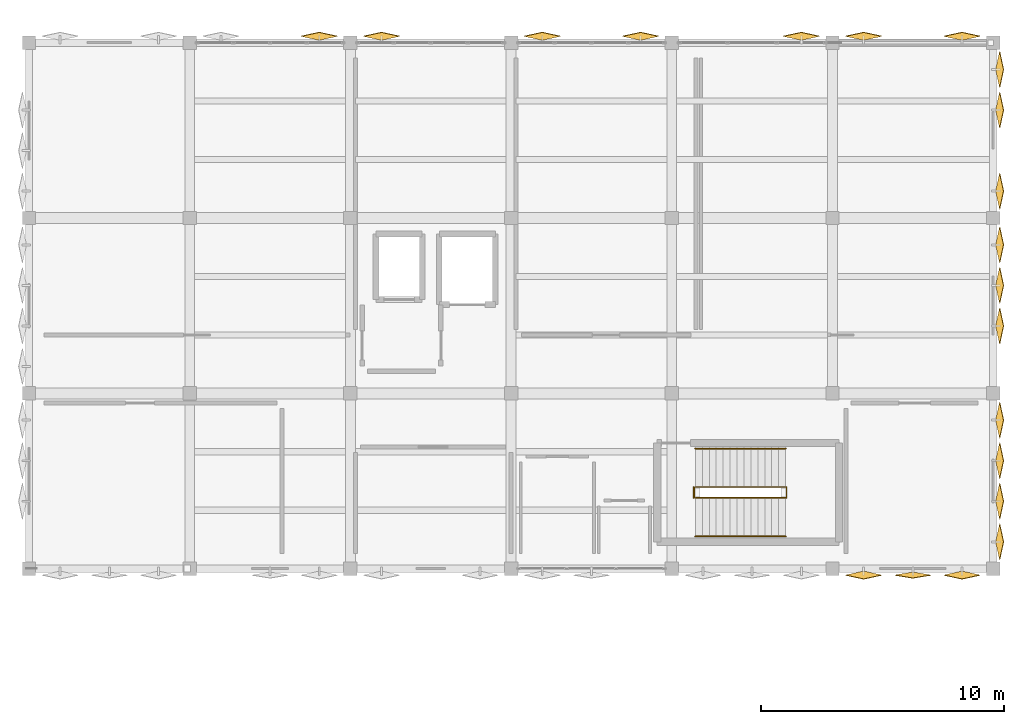
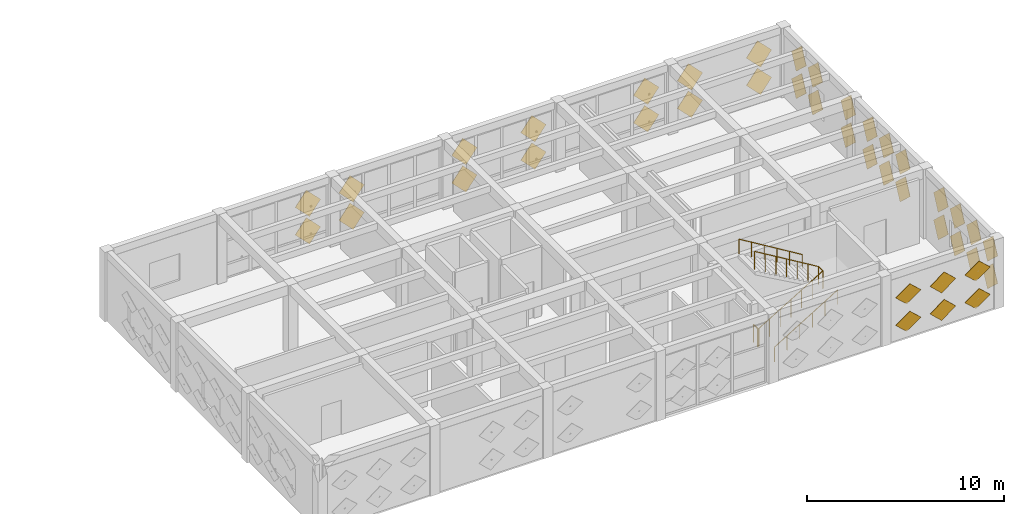
# One storey, part 36 of 36: 40 coverings, 4 railings.
"""IFC4 building model written with IfcOpenShell, lengths in metres."""

import ifcopenshell
import ifcopenshell.guid

model = None  # the IFC model being written
_history = None  # IfcOwnerHistory: only IFC2X3 demands one
_inside = {}  # id of a spatial element -> (the spatial element, [elements in it])
_under = {}  # id of a project, library or spatial element -> (it, [spatial elements below it])
_declared = {}  # id of a project -> (the project, [libraries it declares])
_typed = {}  # id of a type object -> (the type object, [elements of that type])
_made_of = {}  # id of a material, layer set ... -> (it, [elements and type objects made of it])


def new_model(schema):
    """Start an empty IFC model of exactly this schema.

    Asked for "IFC4X3", IfcOpenShell would pick the latest addendum, in which some entities
    have other attributes; the version numbers below select the first issue.
    IFC2X3 requires an IfcOwnerHistory on every rooted entity: one is made here for all.
    """
    global model, _history
    if schema == "IFC4X3":
        model = ifcopenshell.file(schema_version=(4, 3, 0, 0))
    else:
        model = ifcopenshell.file(schema=schema)
    _inside.clear()
    _under.clear()
    _declared.clear()
    _typed.clear()
    _made_of.clear()
    _history = None
    if model.schema == "IFC2X3":
        org = make("IfcOrganization", Name="unknown")
        user = make(
            "IfcPersonAndOrganization",
            ThePerson=make("IfcPerson", FamilyName="unknown"),
            TheOrganization=org,
        )
        app = make(
            "IfcApplication",
            ApplicationDeveloper=org,
            Version="unknown",
            ApplicationFullName="unknown",
            ApplicationIdentifier="unknown",
        )
        _history = make(
            "IfcOwnerHistory",
            OwningUser=user,
            OwningApplication=app,
            ChangeAction="ADDED",
            CreationDate=0,
        )
    return model


def make(cls, **values):
    """One entity of the class cls with the attributes given. An attribute that is None is left unset."""
    return model.create_entity(
        cls, **{name: value for name, value in values.items() if value is not None}
    )


def rooted(cls, **values):
    """An entity with a GlobalId (a new one), such as an element, a storey or a relation."""
    return make(cls, GlobalId=ifcopenshell.guid.new(), OwnerHistory=_history, **values)


def si_unit(unit_type, name, prefix=None):
    """IfcSIUnit, for example si_unit("LENGTHUNIT", "METRE", prefix="MILLI")."""
    return make("IfcSIUnit", UnitType=unit_type, Prefix=prefix, Name=name)


def assignment(units):
    """IfcUnitAssignment: the units of a project."""
    return None if units is None else make("IfcUnitAssignment", Units=units)


def point(xyz):
    """IfcCartesianPoint."""
    return None if xyz is None else make("IfcCartesianPoint", Coordinates=xyz)


def direction(xyz):
    """IfcDirection."""
    return None if xyz is None else make("IfcDirection", DirectionRatios=xyz)


def frame(location, z_axis=None, x_axis=None):
    """IfcAxis2Placement3D, a coordinate frame: its origin and axes. An axis left out is left unset."""
    return make(
        "IfcAxis2Placement3D",
        Location=point(location),
        Axis=direction(z_axis),
        RefDirection=direction(x_axis),
    )


def frame_2d(location, x_axis=None):
    """IfcAxis2Placement2D, a coordinate frame in the plane: its origin and x axis."""
    return make(
        "IfcAxis2Placement2D", Location=point(location), RefDirection=direction(x_axis)
    )


def origin():
    """The frame at (0, 0, 0) with its axes left unset."""
    return frame((0.0, 0.0, 0.0))


def origin_2d():
    """The frame at (0, 0) in the plane with its x axis left unset."""
    return frame_2d((0.0, 0.0))


def place(relative_to, where):
    """IfcLocalPlacement: puts the frame where relative to a parent placement (None: the world)."""
    return make(
        "IfcLocalPlacement", PlacementRelTo=relative_to, RelativePlacement=where
    )


def context(
    kind, dimensions, precision=None, world=None, true_north=None, identifier=None
):
    """IfcGeometricRepresentationContext, for example the 3D "Model" context."""
    return make(
        "IfcGeometricRepresentationContext",
        ContextIdentifier=identifier,
        ContextType=kind,
        CoordinateSpaceDimension=dimensions,
        Precision=precision,
        WorldCoordinateSystem=world,
        TrueNorth=true_north,
    )


def subcontext(parent, identifier, kind, view, scale=None):
    """IfcGeometricRepresentationSubContext, for example "Body" below "Model"."""
    return make(
        "IfcGeometricRepresentationSubContext",
        ContextIdentifier=identifier,
        ContextType=kind,
        ParentContext=parent,
        TargetScale=scale,
        TargetView=view,
    )


def project(units=None, contexts=None):
    """IfcProject with its units and contexts."""
    return rooted(
        "IfcProject",
        Name="project",
        RepresentationContexts=contexts,
        UnitsInContext=assignment(units),
    )


def spatial(cls, under=None, at=None, **own):
    """A site, building, storey or space (cls), placed at a placement, below another one or the project."""
    s = rooted(cls, ObjectPlacement=at, **own)
    if under is not None:
        _under.setdefault(under.id(), (under, []))[1].append(s)
    return s


def polyline(points):
    """IfcPolyline through the points."""
    return make("IfcPolyline", Points=[point(p) for p in points])


def profile(cls, at=None, kind="AREA", **sizes):
    """A parametric profile (cls). Its sizes go by their IFC names, for example OverallWidth=200.0."""
    return make(cls, ProfileType=kind, Position=at, **sizes)


def circle(**sizes):
    """IfcCircleProfileDef."""
    return profile("IfcCircleProfileDef", **sizes)


def outline(outer, holes=None, kind="AREA"):
    """IfcArbitraryClosedProfileDef: a profile drawn as a closed curve; with holes, ...WithVoids."""
    if holes is None:
        return make("IfcArbitraryClosedProfileDef", ProfileType=kind, OuterCurve=outer)
    return make(
        "IfcArbitraryProfileDefWithVoids",
        ProfileType=kind,
        OuterCurve=outer,
        InnerCurves=holes,
    )


def extrude(swept, where, along, depth):
    """IfcExtrudedAreaSolid: the profile swept, set in the frame where, extruded along a direction by depth."""
    return make(
        "IfcExtrudedAreaSolid",
        SweptArea=swept,
        Position=where,
        ExtrudedDirection=direction(along),
        Depth=depth,
    )


def shape(context_of_items, identifier, shape_type, items):
    """IfcShapeRepresentation: the items that make up one representation, for example the "Body"."""
    return make(
        "IfcShapeRepresentation",
        ContextOfItems=context_of_items,
        RepresentationIdentifier=identifier,
        RepresentationType=shape_type,
        Items=items,
    )


def material(Name=None, Category=None):
    """IfcMaterial."""
    return make("IfcMaterial", Name=Name, Category=Category)


def made_of(thing, what):
    """Note that an element or type object is made of a material, layer set ...; save() writes the relation."""
    if what is not None:
        _made_of.setdefault(what.id(), (what, []))[1].append(thing)
    return thing


def type_object(cls, material=None, **own):
    """A type object (cls), such as IfcWallType, which elements share."""
    return made_of(rooted(cls, **own), material)


def element(
    cls,
    number,
    at=None,
    inside=None,
    cuts=None,
    type_object=None,
    material=None,
    context=None,
    identifier="Body",
    shape_type=None,
    held_by="IfcProductDefinitionShape",
    body=None,
    shapes=None,
    **own,
):
    """One element of the class cls, such as IfcWall. Its Tag is "e" and its number.

    at: its placement. inside: the storey or other place that contains it. cuts: it is an
    opening in that element (IfcRelVoidsElement). A single representation is given by context,
    identifier, shape_type and body (its items); several are given by shapes. held_by: the class
    of the entity that holds the representations. save() writes the other relations.
    """
    e = rooted(cls, Tag="e%d" % number, ObjectPlacement=at, **own)
    if body is not None:
        shapes = [shape(context, identifier, shape_type, body)]
    if shapes is not None:
        e.Representation = make(held_by, Representations=shapes)
    if inside is not None:
        _inside.setdefault(inside.id(), (inside, []))[1].append(e)
    if cuts is not None:
        rooted(
            "IfcRelVoidsElement", RelatingBuildingElement=cuts, RelatedOpeningElement=e
        )
    if type_object is not None:
        _typed.setdefault(type_object.id(), (type_object, []))[1].append(e)
    return made_of(e, material)


def aggregate(whole, parts):
    """IfcRelAggregates: a whole, such as a stair, and the parts it consists of."""
    return rooted("IfcRelAggregates", RelatingObject=whole, RelatedObjects=parts)


def save(model, path):
    """Write the relations noted so far, then the file.

    IfcRelAggregates (storeys below a building ...), IfcRelContainedInSpatialStructure (elements
    in a storey), IfcRelDefinesByType, IfcRelAssociatesMaterial and IfcRelDeclares: one each for
    every whole, place, type object, material and project.
    """
    for whole, parts in _under.values():
        aggregate(whole, parts)
    for where, things in _inside.values():
        rooted(
            "IfcRelContainedInSpatialStructure",
            RelatedElements=things,
            RelatingStructure=where,
        )
    for kind, things in _typed.values():
        rooted("IfcRelDefinesByType", RelatedObjects=things, RelatingType=kind)
    for what, things in _made_of.values():
        rooted("IfcRelAssociatesMaterial", RelatedObjects=things, RelatingMaterial=what)
    for by, libraries in _declared.values():
        rooted("IfcRelDeclares", RelatingContext=by, RelatedDefinitions=libraries)
    model.write(path)


model = new_model("IFC4")

# Units and contexts
model_context = context("Model", 3, precision=1e-05, world=origin(), true_north=direction((0.0, 1.0)))
body_context = subcontext(model_context, "Body", "Model", "MODEL_VIEW")
ifc_project = project(units=[si_unit("LENGTHUNIT", "METRE"), si_unit("AREAUNIT", "SQUARE_METRE"), si_unit("VOLUMEUNIT", "CUBIC_METRE"), si_unit("PLANEANGLEUNIT", "RADIAN"), si_unit("MASSUNIT", "GRAM", prefix="KILO")], contexts=[model_context])

# Site, building, storey
site_placement = place(None, origin())
site = spatial("IfcSite", under=ifc_project, at=site_placement, CompositionType="ELEMENT")
building_placement = place(site_placement, origin())
building = spatial("IfcBuilding", under=site, at=building_placement, Name="Kharisveld Research Institute", CompositionType="ELEMENT")
storey_placement = place(building_placement, frame((0.0, 0.0, 27.60009765625)))
storey = spatial("IfcBuildingStorey", under=building, at=storey_placement, Name="L06", CompositionType="ELEMENT", Elevation=27.60009765625)

# Railings
ifc_material_1 = material(Name="Steel S355JR", Category="steel")
railing_type_1 = type_object("IfcRailingType", Name="RL_GRD_STR", PredefinedType="GUARDRAIL", material=ifc_material_1)
railing_1_placement = place(storey_placement, frame((148.570068359375, 42.110107421875, 0.0)))
element("IfcRailing", 1, at=railing_1_placement, inside=storey, type_object=railing_type_1, Name="RLG:ST3:L06:GRD_SLOT", PredefinedType="GUARDRAIL", context=body_context, shape_type="SweptSolid", body=[
    extrude(circle(Radius=0.02392578125, at=origin_2d()), frame((0.0, 0.0, 1.09619140625), z_axis=(0.857182128291, 0.0, 0.515013396853), x_axis=(0.0, 1.0, 0.0)), (0.0, 0.0, 1.0), 4.368896484375),
    extrude(circle(Radius=0.02392578125, at=origin_2d()), frame((3.744873046875, 0.0, 3.34619140625), z_axis=(0.0, 1.0, 0.0), x_axis=(-1.0, 0.0, 0.0)), (0.0, 0.0, 1.0), 0.43994140625),
    extrude(circle(Radius=0.02392578125, at=origin_2d()), frame((3.744873046875, 0.43994140625, 3.34619140625), z_axis=(-0.857182128291, 0.0, 0.515013396853), x_axis=(0.0, -1.0, 0.0)), (0.0, 0.0, 1.0), 4.368896484375),
    extrude(circle(Radius=0.02099609375, at=origin_2d()), origin(), (0.0, 0.0, 1.0), 1.072021484375),
    extrude(circle(Radius=0.02099609375, at=origin_2d()), frame((0.6240234375, 0.0, 0.375)), (0.0, 0.0, 1.0), 1.072021484375),
    extrude(circle(Radius=0.02099609375, at=origin_2d()), frame((1.248291015625, 0.0, 0.75)), (0.0, 0.0, 1.0), 1.072021484375),
    extrude(circle(Radius=0.02099609375, at=origin_2d()), frame((1.87255859375, 0.0, 1.125)), (0.0, 0.0, 1.0), 1.072021484375),
    extrude(circle(Radius=0.02099609375, at=origin_2d()), frame((2.49658203125, 0.0, 1.5)), (0.0, 0.0, 1.0), 1.072021484375),
    extrude(circle(Radius=0.02099609375, at=origin_2d()), frame((3.12060546875, 0.0, 1.875)), (0.0, 0.0, 1.0), 1.072021484375),
    extrude(circle(Radius=0.02099609375, at=origin_2d()), frame((3.744873046875, 0.0, 2.25)), (0.0, 0.0, 1.0), 1.072021484375),
    extrude(circle(Radius=0.02099609375, at=origin_2d()), frame((3.744873046875, 0.43994140625, 2.25)), (0.0, 0.0, 1.0), 1.072021484375),
    extrude(circle(Radius=0.02099609375, at=origin_2d()), frame((3.12060546875, 0.43994140625, 2.625)), (0.0, 0.0, 1.0), 1.072021484375),
    extrude(circle(Radius=0.02099609375, at=origin_2d()), frame((2.49658203125, 0.43994140625, 3.0)), (0.0, 0.0, 1.0), 1.072021484375),
    extrude(circle(Radius=0.02099609375, at=origin_2d()), frame((1.87255859375, 0.43994140625, 3.375)), (0.0, 0.0, 1.0), 1.072021484375),
    extrude(circle(Radius=0.02099609375, at=origin_2d()), frame((1.248291015625, 0.43994140625, 3.75)), (0.0, 0.0, 1.0), 1.072021484375),
    extrude(circle(Radius=0.02099609375, at=origin_2d()), frame((0.6240234375, 0.43994140625, 4.125)), (0.0, 0.0, 1.0), 1.072021484375),
    extrude(circle(Radius=0.02099609375, at=origin_2d()), frame((0.0, 0.43994140625, 4.5)), (0.0, 0.0, 1.0), 1.072021484375),
])
railing_2_placement = place(storey_placement, frame((148.510009765625, 42.110107421875, 0.0)))
element("IfcRailing", 2, at=railing_2_placement, inside=storey, type_object=railing_type_1, Name="RLG:ST3:L06:GRD_FLRSLOT", PredefinedType="GUARDRAIL", context=body_context, shape_type="SweptSolid", body=[
    extrude(circle(Radius=0.02392578125, at=origin_2d()), frame((0.0, 0.0, 1.09619140625), z_axis=(0.0, 1.0, 0.0), x_axis=(-1.0, 0.0, 0.0)), (0.0, 0.0, 1.0), 0.43994140625),
    extrude(circle(Radius=0.02099609375, at=origin_2d()), origin(), (0.0, 0.0, 1.0), 1.072021484375),
    extrude(circle(Radius=0.02099609375, at=origin_2d()), frame((0.0, 0.43994140625, 0.0)), (0.0, 0.0, 1.0), 1.072021484375),
])
ifc_material_2 = material(Name="Stainless Steel 316", Category="steel")
railing_type_2 = type_object("IfcRailingType", Name="RL_HND_STR", PredefinedType="HANDRAIL", material=ifc_material_2)
railing_3_placement = place(storey_placement, frame((148.570068359375, 40.530029296875, 0.0)))
element("IfcRailing", 3, at=railing_3_placement, inside=storey, type_object=railing_type_2, Name="RLG:ST3:L06:HR1", PredefinedType="HANDRAIL", context=body_context, shape_type="SweptSolid", body=[
    extrude(circle(Radius=0.02392578125, at=origin_2d()), frame((0.0, 0.0, 0.89599609375), z_axis=(0.854722365387, 0.0, 0.519085424673), x_axis=(0.0, 1.0, 0.0)), (0.0, 0.0, 1.0), 4.33447265625),
    extrude(circle(Radius=0.02099609375, at=origin_2d()), origin(), (0.0, 0.0, 1.0), 0.871826171875),
    extrude(circle(Radius=0.02099609375, at=origin_2d()), frame((0.740966796875, 0.0, 0.449951171875)), (0.0, 0.0, 1.0), 0.871826171875),
    extrude(circle(Radius=0.02099609375, at=origin_2d()), frame((1.48193359375, 0.0, 0.89990234375)), (0.0, 0.0, 1.0), 0.871826171875),
    extrude(circle(Radius=0.02099609375, at=origin_2d()), frame((2.222900390625, 0.0, 1.35009765625)), (0.0, 0.0, 1.0), 0.871826171875),
    extrude(circle(Radius=0.02099609375, at=origin_2d()), frame((2.9638671875, 0.0, 1.800048828125)), (0.0, 0.0, 1.0), 0.871826171875),
    extrude(circle(Radius=0.02099609375, at=origin_2d()), frame((3.704833984375, 0.0, 2.25)), (0.0, 0.0, 1.0), 0.871826171875),
])
railing_4_placement = place(storey_placement, frame((152.27490234375, 44.1298828125, 2.25)))
element("IfcRailing", 4, at=railing_4_placement, inside=storey, type_object=railing_type_2, Name="RLG:ST3:L06:HR2", PredefinedType="HANDRAIL", context=body_context, shape_type="SweptSolid", body=[
    extrude(circle(Radius=0.02392578125, at=origin_2d()), frame((0.0, 0.0, 0.89599609375), z_axis=(-0.854722365387, 0.0, 0.519085424673), x_axis=(0.0, -1.0, 0.0)), (0.0, 0.0, 1.0), 4.33447265625),
    extrude(circle(Radius=0.02099609375, at=origin_2d()), origin(), (0.0, 0.0, 1.0), 0.871826171875),
    extrude(circle(Radius=0.02099609375, at=origin_2d()), frame((-0.740966796875, 0.0, 0.449951171875)), (0.0, 0.0, 1.0), 0.871826171875),
    extrude(circle(Radius=0.02099609375, at=origin_2d()), frame((-1.48193359375, 0.0, 0.89990234375)), (0.0, 0.0, 1.0), 0.871826171875),
    extrude(circle(Radius=0.02099609375, at=origin_2d()), frame((-2.222900390625, 0.0, 1.35009765625)), (0.0, 0.0, 1.0), 0.871826171875),
    extrude(circle(Radius=0.02099609375, at=origin_2d()), frame((-2.9638671875, 0.0, 1.800048828125)), (0.0, 0.0, 1.0), 0.871826171875),
    extrude(circle(Radius=0.02099609375, at=origin_2d()), frame((-3.704833984375, 0.0, 2.25)), (0.0, 0.0, 1.0), 0.871826171875),
])

# Coverings
ifc_material_3 = material(Name="White Powder-Coated Perforated Aluminium", Category="aluminium")
covering_type = type_object("IfcCoveringType", Name="CV_DIA_105", PredefinedType="CLADDING")
for number, where, z_axis, x_axis, name in (
    (5, (133.1201171875, 60.8994140625, 0.324951171875), (0.0, -0.97631069788, 0.216373337556), (0.707102116981, 0.153000063457, 0.6903604687), "SHD:V2:L06:N2:S2C0"),
    (6, (133.1201171875, 60.8994140625, 2.025146484375), (0.0, -0.97631069788, 0.216373337556), (0.707102116981, 0.153000063457, 0.6903604687), "SHD:V2:L06:N2:S2C1"),
):
    element("IfcCovering", number, at=place(storey_placement, frame(where, z_axis=z_axis, x_axis=x_axis)), inside=storey, type_object=covering_type, material=ifc_material_3, Name=name, PredefinedType="CLADDING", context=body_context, shape_type="SweptSolid", body=[
        extrude(outline(polyline([(0.0, 0.0), (1.0499638210603182, 0.0), (1.0499776725217052, 1.0499638209689517), (-0.00015878089139154117, 1.050136455599167), (0.0, 0.0)])), origin(), (0.0, 0.0, -1.0), 0.02392578125),
    ])
for number, where, z_axis, x_axis, name in (
    (7, (135.679931640625, 60.8994140625, 0.324951171875), (0.0, -0.97631069788, 0.216373337556), (0.707102116981, 0.153000063457, 0.6903604687), "SHD:V2:L06:N3:S0C0"),
    (8, (135.679931640625, 60.8994140625, 2.025146484375), (0.0, -0.97631069788, 0.216373337556), (0.707102116981, 0.153000063457, 0.6903604687), "SHD:V2:L06:N3:S0C1"),
    (9, (142.280029296875, 60.8994140625, 0.324951171875), (0.0, -0.97631069788, 0.216373337556), (0.707102116981, 0.153000063457, 0.6903604687), "SHD:V2:L06:N4:S0C0"),
    (10, (142.280029296875, 60.8994140625, 2.025146484375), (0.0, -0.97631069788, 0.216373337556), (0.707102116981, 0.153000063457, 0.6903604687), "SHD:V2:L06:N4:S0C1"),
    (11, (146.320068359375, 60.8994140625, 0.324951171875), (0.0, -0.97631069788, 0.216373337556), (0.707102116981, 0.153000063457, 0.6903604687), "SHD:V2:L06:N4:S2C0"),
    (12, (146.320068359375, 60.8994140625, 2.025146484375), (0.0, -0.97631069788, 0.216373337556), (0.707102116981, 0.153000063457, 0.6903604687), "SHD:V2:L06:N4:S2C1"),
    (13, (152.919921875, 60.8994140625, 0.324951171875), (0.0, -0.97631069788, 0.216373337556), (0.707102116981, 0.153000063457, 0.6903604687), "SHD:V2:L06:N5:S2C0"),
    (14, (152.919921875, 60.8994140625, 2.025146484375), (0.0, -0.97631069788, 0.216373337556), (0.707102116981, 0.153000063457, 0.6903604687), "SHD:V2:L06:N5:S2C1"),
    (15, (155.47998046875, 60.8994140625, 0.324951171875), (0.0, -0.97631069788, 0.216373337556), (0.707102116981, 0.153000063457, 0.6903604687), "SHD:V2:L06:N6:S0C0"),
    (16, (155.47998046875, 60.8994140625, 2.025146484375), (0.0, -0.97631069788, 0.216373337556), (0.707102116981, 0.153000063457, 0.6903604687), "SHD:V2:L06:N6:S0C1"),
    (17, (159.52001953125, 60.8994140625, 0.324951171875), (0.0, -0.97631069788, 0.216373337556), (0.707102116981, 0.153000063457, 0.6903604687), "SHD:V2:L06:N6:S2C0"),
    (18, (159.52001953125, 60.8994140625, 2.025146484375), (0.0, -0.97631069788, 0.216373337556), (0.707102116981, 0.153000063457, 0.6903604687), "SHD:V2:L06:N6:S2C1"),
    (19, (160.8994140625, 59.697509765625, 0.324951171875), (-0.97631069788, 0.0, 0.216373337556), (0.153000063457, -0.707102116981, 0.6903604687), "SHD:V2:L06:E3:S0C0"),
    (20, (160.8994140625, 59.697509765625, 2.025146484375), (-0.97631069788, 0.0, 0.216373337556), (0.153000063457, -0.707102116981, 0.6903604687), "SHD:V2:L06:E3:S0C1"),
    (21, (160.8994140625, 58.032470703125, 0.324951171875), (-0.97631069788, 0.0, 0.216373337556), (0.153000063457, -0.707102116981, 0.6903604687), "SHD:V2:L06:E3:S1C0"),
    (22, (160.8994140625, 58.032470703125, 2.025146484375), (-0.97631069788, 0.0, 0.216373337556), (0.153000063457, -0.707102116981, 0.6903604687), "SHD:V2:L06:E3:S1C1"),
):
    element("IfcCovering", number, at=place(storey_placement, frame(where, z_axis=z_axis, x_axis=x_axis)), inside=storey, type_object=covering_type, material=ifc_material_3, Name=name, PredefinedType="CLADDING", context=body_context, shape_type="SweptSolid", body=[
        extrude(outline(polyline([(0.0, 0.0), (1.0499638210603182, 0.0), (1.0499776725217052, 1.0499638209689517), (1.3851461386993336e-05, 1.0499638209689517), (0.0, 0.0)])), origin(), (0.0, 0.0, -1.0), 0.02392578125),
    ])
for number, where, z_axis, x_axis, name in (
    (23, (160.8994140625, 54.702392578125, 0.324951171875), (-0.97631069788, 0.0, 0.216373337556), (0.153000063457, -0.707102116981, 0.6903604687), "SHD:V2:L06:E3:S3C0"),
    (24, (160.8994140625, 54.702392578125, 2.025146484375), (-0.97631069788, 0.0, 0.216373337556), (0.153000063457, -0.707102116981, 0.6903604687), "SHD:V2:L06:E3:S3C1"),
):
    element("IfcCovering", number, at=place(storey_placement, frame(where, z_axis=z_axis, x_axis=x_axis)), inside=storey, type_object=covering_type, material=ifc_material_3, Name=name, PredefinedType="CLADDING", context=body_context, shape_type="SweptSolid", body=[
        extrude(outline(polyline([(0.0, 0.0), (1.0499638210603182, 0.0), (1.0499776725217052, 1.0499638209689517), (-0.00015878089139154117, 1.050136455599167), (0.0, 0.0)])), origin(), (0.0, 0.0, -1.0), 0.02392578125),
    ])
for number, where, z_axis, x_axis, name in (
    (25, (160.8994140625, 52.49755859375, 0.324951171875), (-0.97631069788, 0.0, 0.216373337556), (0.153000063457, -0.707102116981, 0.6903604687), "SHD:V2:L06:E2:S0C0"),
    (26, (160.8994140625, 52.49755859375, 2.025146484375), (-0.97631069788, 0.0, 0.216373337556), (0.153000063457, -0.707102116981, 0.6903604687), "SHD:V2:L06:E2:S0C1"),
    (27, (160.8994140625, 50.83251953125, 0.324951171875), (-0.97631069788, 0.0, 0.216373337556), (0.153000063457, -0.707102116981, 0.6903604687), "SHD:V2:L06:E2:S1C0"),
    (28, (160.8994140625, 50.83251953125, 2.025146484375), (-0.97631069788, 0.0, 0.216373337556), (0.153000063457, -0.707102116981, 0.6903604687), "SHD:V2:L06:E2:S1C1"),
    (29, (160.8994140625, 49.16748046875, 0.324951171875), (-0.97631069788, 0.0, 0.216373337556), (0.153000063457, -0.707102116981, 0.6903604687), "SHD:V2:L06:E2:S2C0"),
    (30, (160.8994140625, 49.16748046875, 2.025146484375), (-0.97631069788, 0.0, 0.216373337556), (0.153000063457, -0.707102116981, 0.6903604687), "SHD:V2:L06:E2:S2C1"),
):
    element("IfcCovering", number, at=place(storey_placement, frame(where, z_axis=z_axis, x_axis=x_axis)), inside=storey, type_object=covering_type, material=ifc_material_3, Name=name, PredefinedType="CLADDING", context=body_context, shape_type="SweptSolid", body=[
        extrude(outline(polyline([(0.0, 0.0), (1.0499638210603182, 0.0), (1.0499776725217052, 1.0499638209689517), (1.3851461386993336e-05, 1.0499638209689517), (0.0, 0.0)])), origin(), (0.0, 0.0, -1.0), 0.02392578125),
    ])
for number, where, z_axis, x_axis, name in (
    (31, (160.8994140625, 45.297607421875, 0.324951171875), (-0.97631069788, 0.0, 0.216373337556), (0.152974909648, -0.707218351292, 0.690246970738), "SHD:V2:L06:E1:S0C0"),
    (32, (160.8994140625, 45.297607421875, 2.025146484375), (-0.97631069788, 0.0, 0.216373337556), (0.152974909648, -0.707218351292, 0.690246970738), "SHD:V2:L06:E1:S0C1"),
):
    element("IfcCovering", number, at=place(storey_placement, frame(where, z_axis=z_axis, x_axis=x_axis)), inside=storey, type_object=covering_type, material=ifc_material_3, Name=name, PredefinedType="CLADDING", context=body_context, shape_type="SweptSolid", body=[
        extrude(outline(polyline([(0.0, 0.0), (1.0501364676030216, 1.1102230246251565e-16), (1.0498050520855338, 1.0501364153068435), (-0.00015875478719196146, 1.0499638090584367), (0.0, 0.0)])), origin(), (0.0, 0.0, -1.0), 0.02392578125),
    ])
for number, where, z_axis, x_axis, name in (
    (33, (160.8994140625, 43.632568359375, 0.324951171875), (-0.97631069788, 0.0, 0.216373337556), (0.153000063457, -0.707102116981, 0.6903604687), "SHD:V2:L06:E1:S1C0"),
    (34, (160.8994140625, 43.632568359375, 2.025146484375), (-0.97631069788, 0.0, 0.216373337556), (0.153000063457, -0.707102116981, 0.6903604687), "SHD:V2:L06:E1:S1C1"),
    (35, (160.8994140625, 41.967529296875, 0.324951171875), (-0.97631069788, 0.0, 0.216373337556), (0.153000063457, -0.707102116981, 0.6903604687), "SHD:V2:L06:E1:S2C0"),
    (36, (160.8994140625, 41.967529296875, 2.025146484375), (-0.97631069788, 0.0, 0.216373337556), (0.153000063457, -0.707102116981, 0.6903604687), "SHD:V2:L06:E1:S2C1"),
    (37, (160.8994140625, 40.302490234375, 0.324951171875), (-0.97631069788, 0.0, 0.216373337556), (0.153000063457, -0.707102116981, 0.6903604687), "SHD:V2:L06:E1:S3C0"),
    (38, (160.8994140625, 40.302490234375, 2.025146484375), (-0.97631069788, 0.0, 0.216373337556), (0.153000063457, -0.707102116981, 0.6903604687), "SHD:V2:L06:E1:S3C1"),
    (39, (159.52001953125, 39.1005859375, 0.324951171875), (0.0, 0.97631069788, 0.216373337556), (-0.707102116981, -0.153000063457, 0.6903604687), "SHD:V2:L06:S7:S0C0"),
    (40, (159.52001953125, 39.1005859375, 2.025146484375), (0.0, 0.97631069788, 0.216373337556), (-0.707102116981, -0.153000063457, 0.6903604687), "SHD:V2:L06:S7:S0C1"),
):
    element("IfcCovering", number, at=place(storey_placement, frame(where, z_axis=z_axis, x_axis=x_axis)), inside=storey, type_object=covering_type, material=ifc_material_3, Name=name, PredefinedType="CLADDING", context=body_context, shape_type="SweptSolid", body=[
        extrude(outline(polyline([(0.0, 0.0), (1.0499638210603182, 0.0), (1.0499776725217052, 1.0499638209689517), (1.3851461386993336e-05, 1.0499638209689517), (0.0, 0.0)])), origin(), (0.0, 0.0, -1.0), 0.02392578125),
    ])
covering_1_placement = place(storey_placement, frame((157.5, 39.0625, 0.317626953125), z_axis=(0.0, 0.986282612269, 0.165065468031), x_axis=(-0.707138821552, -0.116713622787, 0.697375521014)))
element("IfcCovering", 41, at=covering_1_placement, inside=storey, type_object=covering_type, material=ifc_material_3, Name="SHD:V2:L06:S7:S1C0", PredefinedType="CLADDING", context=body_context, shape_type="SweptSolid", body=[
    extrude(outline(polyline([(0.0, 0.0), (1.049909321899567, 0.0), (1.0499844306250534, 1.0500795907141018), (-9.51489700736774e-05, 1.049909317588087), (0.0, 0.0)])), origin(), (0.0, 0.0, -1.0), 0.02392578125),
])
covering_2_placement = place(storey_placement, frame((157.5, 39.0625, 2.017578125), z_axis=(0.0, 0.986282612269, 0.165065468031), x_axis=(-0.707024158255, -0.116732548384, 0.697488603341)))
element("IfcCovering", 42, at=covering_2_placement, inside=storey, type_object=covering_type, material=ifc_material_3, Name="SHD:V2:L06:S7:S1C1", PredefinedType="CLADDING", context=body_context, shape_type="SweptSolid", body=[
    extrude(outline(polyline([(0.0, 0.0), (1.0500795934002414, -1.1102230246251565e-16), (1.0501546899467695, 1.0499093192138629), (0.0002453818500782745, 1.0500795647299133), (0.0, 0.0)])), origin(), (0.0, 0.0, -1.0), 0.02392578125),
])
for number, where, z_axis, x_axis, name in (
    (43, (155.47998046875, 39.1005859375, 0.324951171875), (0.0, 0.97631069788, 0.216373337556), (-0.707102116981, -0.153000063457, 0.6903604687), "SHD:V2:L06:S7:S2C0"),
    (44, (155.47998046875, 39.1005859375, 2.025146484375), (0.0, 0.97631069788, 0.216373337556), (-0.707102116981, -0.153000063457, 0.6903604687), "SHD:V2:L06:S7:S2C1"),
):
    element("IfcCovering", number, at=place(storey_placement, frame(where, z_axis=z_axis, x_axis=x_axis)), inside=storey, type_object=covering_type, material=ifc_material_3, Name=name, PredefinedType="CLADDING", context=body_context, shape_type="SweptSolid", body=[
        extrude(outline(polyline([(0.0, 0.0), (1.0499638210603182, 0.0), (1.0499776725217052, 1.0499638209689517), (1.3851461386993336e-05, 1.0499638209689517), (0.0, 0.0)])), origin(), (0.0, 0.0, -1.0), 0.02392578125),
    ])

save(model, "model.ifc")
